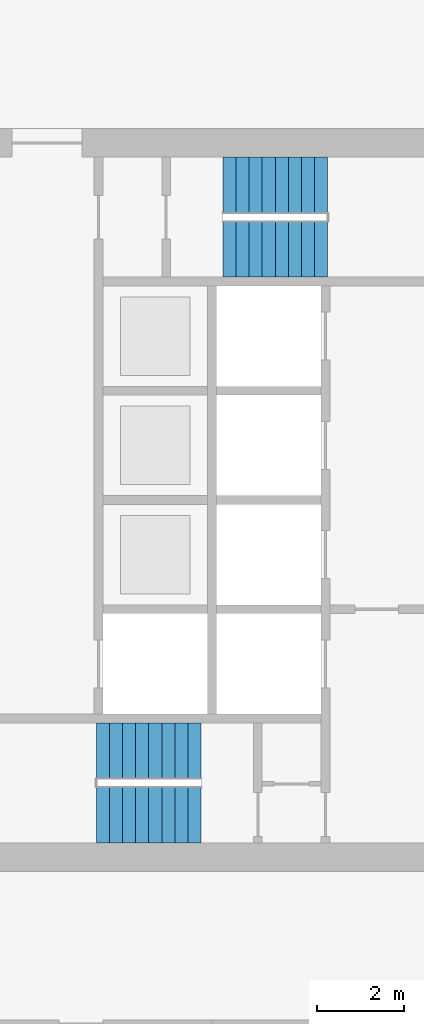
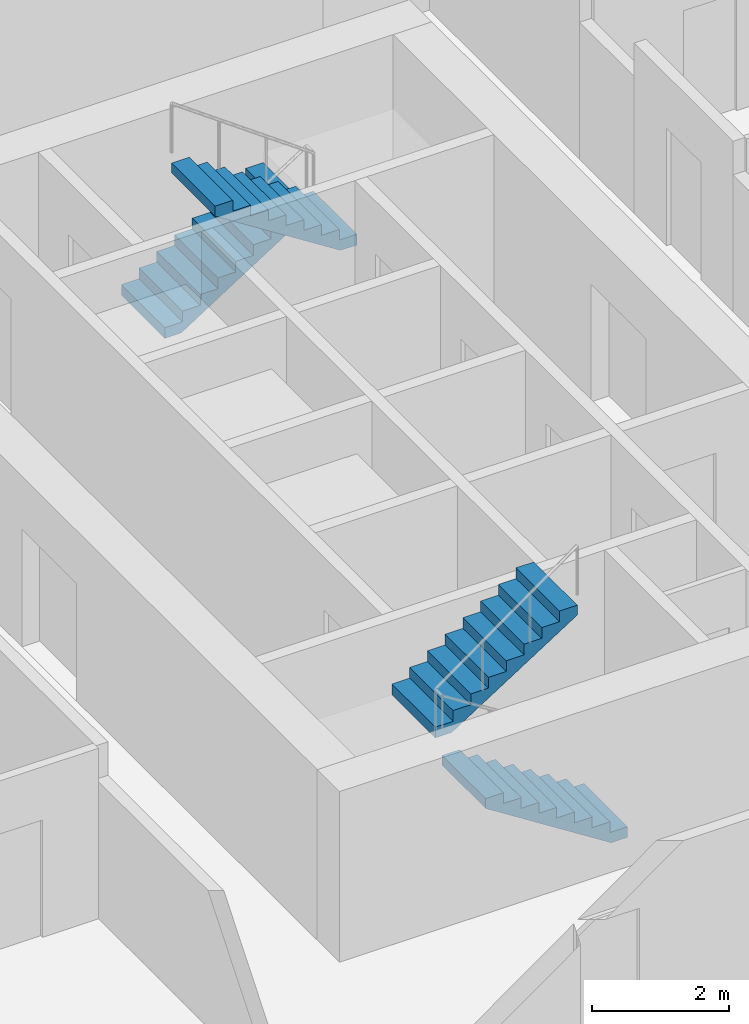
# One storey, part 10 of 13: 4 stair flights, 2 elements without a shape of their own.
"""IFC4 building model written with IfcOpenShell, lengths in metres."""

from ifc_helpers import new_model, si_unit, direction, frame, origin, place, context, subcontext, project, spatial, polyline, outline, extrude, material, type_object, element, aggregate, save


model = new_model("IFC4")

# Units and contexts
model_context = context("Model", 3, precision=1e-05, world=origin(), true_north=direction((0.0, 1.0)))
body_context = subcontext(model_context, "Body", "Model", "MODEL_VIEW")
ifc_project = project(units=[si_unit("LENGTHUNIT", "METRE"), si_unit("AREAUNIT", "SQUARE_METRE"), si_unit("VOLUMEUNIT", "CUBIC_METRE"), si_unit("PLANEANGLEUNIT", "RADIAN"), si_unit("MASSUNIT", "GRAM", prefix="KILO")], contexts=[model_context])

# Site, building, storey
site_placement = place(None, origin())
site = spatial("IfcSite", under=ifc_project, at=site_placement, CompositionType="ELEMENT")
building_placement = place(site_placement, origin())
building = spatial("IfcBuilding", under=site, at=building_placement, Name="Kitamizu Gate Tower and Museum", CompositionType="ELEMENT")
storey_placement = place(building_placement, frame((0.0, 0.0, 144.89990234375)))
storey = spatial("IfcBuildingStorey", under=building, at=storey_placement, Name="L38", CompositionType="ELEMENT", Elevation=144.89990234375)

# Stair, stair flights
ifc_material_1 = material(Name="Concrete Fc42", Category="concrete")
stair_type = type_object("IfcStairType", Name="Exit stair 1275 wide 192 rise 300 going", PredefinedType="HALF_TURN_STAIR", material=ifc_material_1)
stair_1_placement = place(storey_placement, origin())
stair_1 = element("IfcStair", 1, at=stair_1_placement, inside=storey, type_object=stair_type, Name="Exit stair ST3", PredefinedType="HALF_TURN_STAIR")
ifc_material_2 = material(Name="Concrete Fc42", Category="concrete")
stair_flight_type = type_object("IfcStairFlightType", Name="Stair flight 1275 wide 192 rise 300 going", PredefinedType="STRAIGHT", material=ifc_material_2)
stair_flight_1_placement = place(storey_placement, frame((53.75, 22.78759765625, 0.0), z_axis=(0.0, 0.0, 1.0), x_axis=(-1.0, 0.0, 0.0)))
stair_flight_1 = element("IfcStairFlight", 2, at=stair_flight_1_placement, type_object=stair_flight_type, Name="ST3 flight 1", NumberOfRisers=9, NumberOfTreads=8, PredefinedType="STRAIGHT", RiserHeight=0.191666667, TreadLength=0.3, context=body_context, shape_type="SweptSolid", body=[
    extrude(outline(polyline([(0.0, 0.0), (0.0, 0.191650390625), (0.300048828125, 0.191650390625), (0.300048828125, 0.38330078125), (0.60009765625, 0.38330078125), (0.60009765625, 0.574951171875), (0.89990234375, 0.574951171875), (0.89990234375, 0.7666015625), (1.199951171875, 0.7666015625), (1.199951171875, 0.958251953125), (1.5, 0.958251953125), (1.5, 1.14990234375), (1.800048828125, 1.14990234375), (1.800048828125, 1.341552734375), (2.10009765625, 1.341552734375), (2.10009765625, 1.533447265625), (2.39990234375, 1.533447265625), (2.39990234375, 1.72509765625), (2.39990234375, 1.35546875), (0.2783203125, 0.0), (0.0, 0.0)])), frame((0.0, 0.637451171875, 0.0), z_axis=(0.0, -1.0, 0.0), x_axis=(1.0, 0.0, 0.0)), (0.0, 0.0, 1.0), 1.27490234375),
])
stair_flight_2_placement = place(storey_placement, frame((51.35009765625, 24.262451171875, 1.72509765625), z_axis=(0.0, 0.0, 1.0), x_axis=(1.0, 0.0, 0.0)))
stair_flight_2 = element("IfcStairFlight", 3, at=stair_flight_2_placement, type_object=stair_flight_type, Name="ST3 flight 2", NumberOfRisers=9, NumberOfTreads=8, PredefinedType="STRAIGHT", RiserHeight=0.191666667, TreadLength=0.3, context=body_context, shape_type="SweptSolid", body=[
    extrude(outline(polyline([(0.0, 0.0), (0.0, 0.191650390625), (0.300048828125, 0.191650390625), (0.300048828125, 0.38330078125), (0.60009765625, 0.38330078125), (0.60009765625, 0.574951171875), (0.89990234375, 0.574951171875), (0.89990234375, 0.7666015625), (1.199951171875, 0.7666015625), (1.199951171875, 0.958251953125), (1.5, 0.958251953125), (1.5, 1.14990234375), (1.800048828125, 1.14990234375), (1.800048828125, 1.341552734375), (2.10009765625, 1.341552734375), (2.10009765625, 1.533447265625), (2.39990234375, 1.533447265625), (2.39990234375, 1.72509765625), (2.39990234375, 1.35546875), (0.2783203125, 0.0), (0.0, 0.0)])), frame((0.0, 0.637451171875, 0.0), z_axis=(0.0, -1.0, 0.0), x_axis=(1.0, 0.0, 0.0)), (0.0, 0.0, 1.0), 1.27490234375),
])
aggregate(stair_1, [stair_flight_1, stair_flight_2])

stair_2_placement = place(storey_placement, origin())
stair_2 = element("IfcStair", 4, at=stair_2_placement, inside=storey, type_object=stair_type, Name="Exit stair ST4", PredefinedType="HALF_TURN_STAIR")
stair_flight_3_placement = place(storey_placement, frame((54.25, 37.21240234375, 0.0), z_axis=(0.0, 0.0, 1.0), x_axis=(1.0, 0.0, 0.0)))
stair_flight_3 = element("IfcStairFlight", 5, at=stair_flight_3_placement, type_object=stair_flight_type, Name="ST4 flight 1", NumberOfRisers=9, NumberOfTreads=8, PredefinedType="STRAIGHT", RiserHeight=0.191666667, TreadLength=0.3, context=body_context, shape_type="SweptSolid", body=[
    extrude(outline(polyline([(0.0, 0.0), (0.0, 0.191650390625), (0.300048828125, 0.191650390625), (0.300048828125, 0.38330078125), (0.60009765625, 0.38330078125), (0.60009765625, 0.574951171875), (0.89990234375, 0.574951171875), (0.89990234375, 0.7666015625), (1.199951171875, 0.7666015625), (1.199951171875, 0.958251953125), (1.5, 0.958251953125), (1.5, 1.14990234375), (1.800048828125, 1.14990234375), (1.800048828125, 1.341552734375), (2.10009765625, 1.341552734375), (2.10009765625, 1.533447265625), (2.39990234375, 1.533447265625), (2.39990234375, 1.72509765625), (2.39990234375, 1.35546875), (0.2783203125, 0.0), (0.0, 0.0)])), frame((0.0, 0.637451171875, 0.0), z_axis=(0.0, -1.0, 0.0), x_axis=(1.0, 0.0, 0.0)), (0.0, 0.0, 1.0), 1.27490234375),
])
stair_flight_4_placement = place(storey_placement, frame((56.64990234375, 35.737548828125, 1.72509765625), z_axis=(0.0, 0.0, 1.0), x_axis=(-1.0, 0.0, 0.0)))
stair_flight_4 = element("IfcStairFlight", 6, at=stair_flight_4_placement, type_object=stair_flight_type, Name="ST4 flight 2", NumberOfRisers=9, NumberOfTreads=8, PredefinedType="STRAIGHT", RiserHeight=0.191666667, TreadLength=0.3, context=body_context, shape_type="SweptSolid", body=[
    extrude(outline(polyline([(0.0, 0.0), (0.0, 0.191650390625), (0.300048828125, 0.191650390625), (0.300048828125, 0.38330078125), (0.60009765625, 0.38330078125), (0.60009765625, 0.574951171875), (0.89990234375, 0.574951171875), (0.89990234375, 0.7666015625), (1.199951171875, 0.7666015625), (1.199951171875, 0.958251953125), (1.5, 0.958251953125), (1.5, 1.14990234375), (1.800048828125, 1.14990234375), (1.800048828125, 1.341552734375), (2.10009765625, 1.341552734375), (2.10009765625, 1.533447265625), (2.39990234375, 1.533447265625), (2.39990234375, 1.72509765625), (2.39990234375, 1.35546875), (0.2783203125, 0.0), (0.0, 0.0)])), frame((0.0, 0.637451171875, 0.0), z_axis=(0.0, -1.0, 0.0), x_axis=(1.0, 0.0, 0.0)), (0.0, 0.0, 1.0), 1.27490234375),
])
aggregate(stair_2, [stair_flight_3, stair_flight_4])

save(model, "model.ifc")
